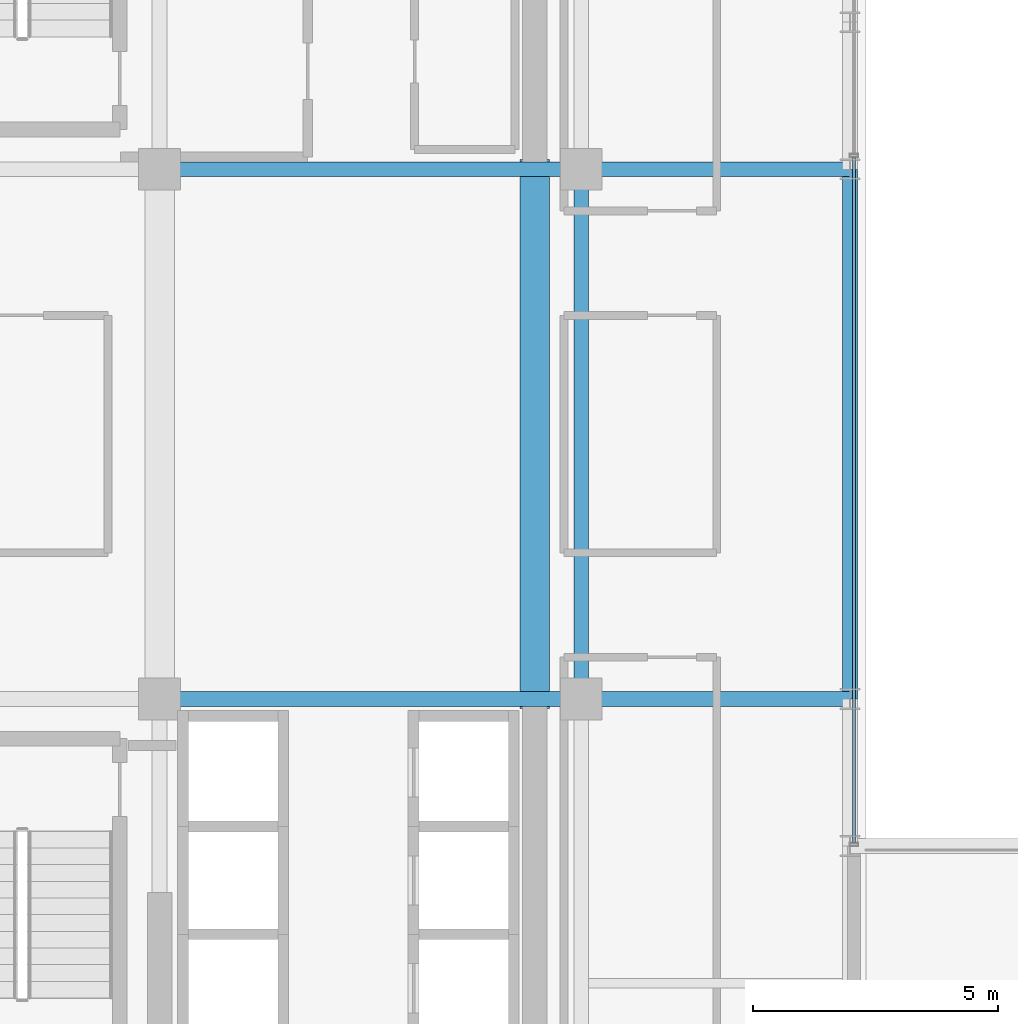
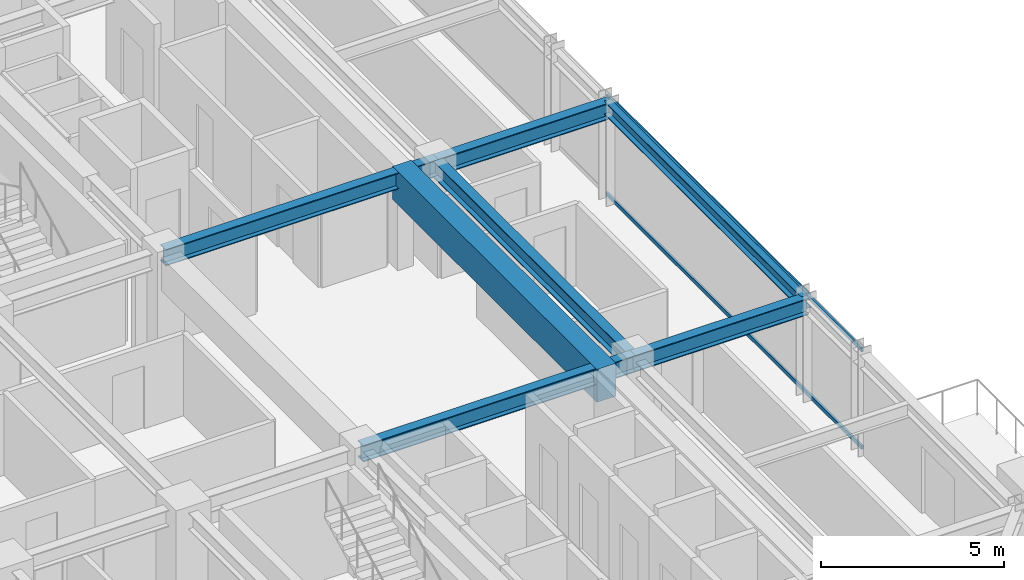
# One storey, part 12 of 29: 7 beams, 2 members, 1 element without a shape of its own.
"""IFC4 building model written with IfcOpenShell, lengths in metres."""

from ifc_helpers import new_model, si_unit, direction, frame, origin, origin_2d, place, context, subcontext, project, spatial, rectangle, hollow_rectangle, i_section, extrude, source, transform, mapped, material, material_profile, profile_set, type_object, element, aggregate, save


model = new_model("IFC4")

# Units and contexts
model_context = context("Model", 3, precision=1e-05, world=origin(), true_north=direction((0.0, 1.0)))
body_context = subcontext(model_context, "Body", "Model", "MODEL_VIEW")
ifc_project = project(units=[si_unit("LENGTHUNIT", "METRE"), si_unit("AREAUNIT", "SQUARE_METRE"), si_unit("VOLUMEUNIT", "CUBIC_METRE"), si_unit("PLANEANGLEUNIT", "RADIAN"), si_unit("MASSUNIT", "GRAM", prefix="KILO")], contexts=[model_context])

# Site, building, storey
site_placement = place(None, origin())
site = spatial("IfcSite", under=ifc_project, at=site_placement, CompositionType="ELEMENT")
building_placement = place(site_placement, origin())
building = spatial("IfcBuilding", under=site, at=building_placement, Name="Nahalor Promenade Grand Hotel", CompositionType="ELEMENT")
storey_placement = place(building_placement, frame((0.0, 0.0, 189.14990234375)))
storey = spatial("IfcBuildingStorey", under=building, at=storey_placement, Name="L48", CompositionType="ELEMENT", Elevation=189.14990234375)

# Beams
ifc_material_1 = material(Name="Concrete B-60 (C50/60)", Category="concrete")
ifc_material_profile_1 = material_profile(ifc_material_1, rectangle(XDim=0.6, YDim=1.1, at=origin_2d()), Name="RC 600x1100")
ifc_profile_set_1 = profile_set([ifc_material_profile_1], Name="Concrete B-60 (C50/60)")
beam_type_1 = type_object("IfcBeamType", Name="Beam-Lintel-RC1100", PredefinedType="LINTEL", material=ifc_profile_set_1)
shared_shape_1 = source(origin(), body_context, "Body", "SweptSolid", [
    extrude(rectangle(XDim=0.6, YDim=1.1, at=origin_2d()), origin(), (0.0, 0.0, 1.0), 11.2001953125),
])
beam_1_placement = place(storey_placement, frame((16.050048828125, -5.60009765625, 2.840087890625), z_axis=(0.0, 1.0, 0.0), x_axis=(-1.0, 0.0, 0.0)))
element("IfcBeam", 1, at=beam_1_placement, inside=storey, type_object=beam_type_1, Name="BM-L48-LINT-E", PredefinedType="LINTEL", context=body_context, shape_type="MappedRepresentation", body=[
    mapped(shared_shape_1, transform((0.0, 0.0, 0.0), scale=1.0)),
])
ifc_material_2 = material(Name="Steel S355JR", Category="steel")
ifc_material_profile_2 = material_profile(ifc_material_2, i_section(OverallWidth=0.3, OverallDepth=0.55, WebThickness=0.015, FlangeThickness=0.029, at=origin_2d()), Name="HEB 550")
ifc_profile_set_2 = profile_set([ifc_material_profile_2], Name="Steel S355JR")
beam_type_2 = type_object("IfcBeamType", Name="Beam-Girder-HEB550", PredefinedType="BEAM", material=ifc_profile_set_2)
shared_shape_2 = source(origin(), body_context, "Body", "SweptSolid", [
    extrude(i_section(OverallWidth=0.3, OverallDepth=0.55, WebThickness=0.015, FlangeThickness=0.029, at=origin_2d()), origin(), (0.0, 0.0, 1.0), 8.60009765625),
])
for number, where, z_axis, x_axis, name in (
    (2, (8.39990234375, -5.39990234375, 3.114990234375), (1.0, 0.0, 0.0), (0.0, 1.0, 0.0), "BM-L48-GX-1-5"),
    (3, (8.39990234375, 5.39990234375, 3.114990234375), (1.0, 0.0, 0.0), (0.0, 1.0, 0.0), "BM-L48-GX-2-5"),
):
    element("IfcBeam", number, at=place(storey_placement, frame(where, z_axis=z_axis, x_axis=x_axis)), inside=storey, type_object=beam_type_2, Name=name, PredefinedType="BEAM", context=body_context, shape_type="MappedRepresentation", body=[
        mapped(shared_shape_2, transform((0.0, 0.0, 0.0), scale=1.0)),
    ])
shared_shape_3 = source(origin(), body_context, "Body", "SweptSolid", [
    extrude(i_section(OverallWidth=0.3, OverallDepth=0.55, WebThickness=0.015, FlangeThickness=0.029, at=origin_2d()), origin(), (0.0, 0.0, 1.0), 10.7998046875),
])
beam_2_placement = place(storey_placement, frame((17.0, -5.39990234375, 3.114990234375), z_axis=(0.0, 1.0, 0.0), x_axis=(-1.0, 0.0, 0.0)))
element("IfcBeam", 4, at=beam_2_placement, inside=storey, type_object=beam_type_2, Name="BM-L48-GY-5-2", PredefinedType="BEAM", context=body_context, shape_type="MappedRepresentation", body=[
    mapped(shared_shape_3, transform((0.0, 0.0, 0.0), scale=1.0)),
])
shared_shape_4 = source(origin(), body_context, "Body", "SweptSolid", [
    extrude(i_section(OverallWidth=0.3, OverallDepth=0.55, WebThickness=0.015, FlangeThickness=0.029, at=origin_2d()), origin(), (0.0, 0.0, 1.0), 5.47998046875),
])
for number, where, z_axis, x_axis, name in (
    (5, (17.0, -5.39990234375, 3.114990234375), (1.0, 0.0, 0.0), (0.0, 1.0, 0.0), "BM-L48-GX-1-6"),
    (6, (17.0, 5.39990234375, 3.114990234375), (1.0, 0.0, 0.0), (0.0, 1.0, 0.0), "BM-L48-GX-2-6"),
):
    element("IfcBeam", number, at=place(storey_placement, frame(where, z_axis=z_axis, x_axis=x_axis)), inside=storey, type_object=beam_type_2, Name=name, PredefinedType="BEAM", context=body_context, shape_type="MappedRepresentation", body=[
        mapped(shared_shape_4, transform((0.0, 0.0, 0.0), scale=1.0)),
    ])
ifc_material_profile_3 = material_profile(ifc_material_2, i_section(OverallWidth=0.3, OverallDepth=0.45, WebThickness=0.014, FlangeThickness=0.026, at=origin_2d()), Name="HEB 450")
ifc_profile_set_3 = profile_set([ifc_material_profile_3], Name="Steel S355JR")
beam_type_3 = type_object("IfcBeamType", Name="Beam-Spandrel-HEB450", PredefinedType="SPANDREL", material=ifc_profile_set_3)
shared_shape_5 = source(origin(), body_context, "Body", "SweptSolid", [
    extrude(i_section(OverallWidth=0.3, OverallDepth=0.45, WebThickness=0.014, FlangeThickness=0.026, at=origin_2d()), origin(), (0.0, 0.0, 1.0), 10.7998046875),
])
beam_3_placement = place(storey_placement, frame((22.47998046875, -5.39990234375, 3.1650390625), z_axis=(0.0, 1.0, 0.0), x_axis=(-1.0, 0.0, 0.0)))
element("IfcBeam", 7, at=beam_3_placement, inside=storey, type_object=beam_type_3, Name="BM-L48-SP-E-2", PredefinedType="SPANDREL", context=body_context, shape_type="MappedRepresentation", body=[
    mapped(shared_shape_5, transform((0.0, 0.0, 0.0), scale=1.0)),
])

# Curtain wall, members
ifc_material_3 = material(Name="Anodised Bronze Aluminium EN AW-6063 T6", Category="aluminium")
curtain_wall_type = type_object("IfcCurtainWallType", Name="CW2 Typical Hotel Flush Bronze Unitised Curtain Wall", PredefinedType="USERDEFINED", material=ifc_material_3)
curtain_wall_placement = place(storey_placement, origin())
curtain_wall = element("IfcCurtainWall", 8, at=curtain_wall_placement, inside=storey, type_object=curtain_wall_type, Name="L48 Curtain Wall CW-L48-E-3", ObjectType="UNITISED_CURTAIN_WALL", PredefinedType="USERDEFINED")
ifc_material_profile_4 = material_profile(ifc_material_3, hollow_rectangle(XDim=0.065, YDim=0.13, WallThickness=0.004, at=origin_2d()), Name="CWT 65x130x4")
ifc_profile_set_4 = profile_set([ifc_material_profile_4], Name="Anodised Bronze Aluminium EN AW-6063 T6")
member_type = type_object("IfcMemberType", Name="CWT2 Typical Bronze Transom 65x130", PredefinedType="USERDEFINED", material=ifc_profile_set_4)
shared_shape_6 = source(origin(), body_context, "Body", "SweptSolid", [
    extrude(hollow_rectangle(XDim=0.065, YDim=0.13, WallThickness=0.004, at=origin_2d()), origin(), (0.0, 0.0, 1.0), 13.982421875),
])
member_1_placement = place(storey_placement, frame((22.56005859375, -8.3349609375, 0.065185546875), z_axis=(0.0, 1.0, 0.0), x_axis=(-1.0, 0.0, 0.0)))
member_1 = element("IfcMember", 9, at=member_1_placement, type_object=member_type, Name="CW-L48-E-3 Transom 0-0", ObjectType="TRANSOM", PredefinedType="USERDEFINED", context=body_context, shape_type="MappedRepresentation", body=[
    mapped(shared_shape_6, transform((0.0, 0.0, 0.0), scale=1.0)),
])
member_2_placement = place(storey_placement, frame((22.56005859375, -8.3349609375, 3.3251953125), z_axis=(0.0, 1.0, 0.0), x_axis=(-1.0, 0.0, 0.0)))
member_2 = element("IfcMember", 10, at=member_2_placement, type_object=member_type, Name="CW-L48-E-3 Transom 0-1", ObjectType="TRANSOM", PredefinedType="USERDEFINED", context=body_context, shape_type="MappedRepresentation", body=[
    mapped(shared_shape_6, transform((0.0, 0.0, 0.0), scale=1.0)),
])
aggregate(curtain_wall, [member_1, member_2])

save(model, "model.ifc")
